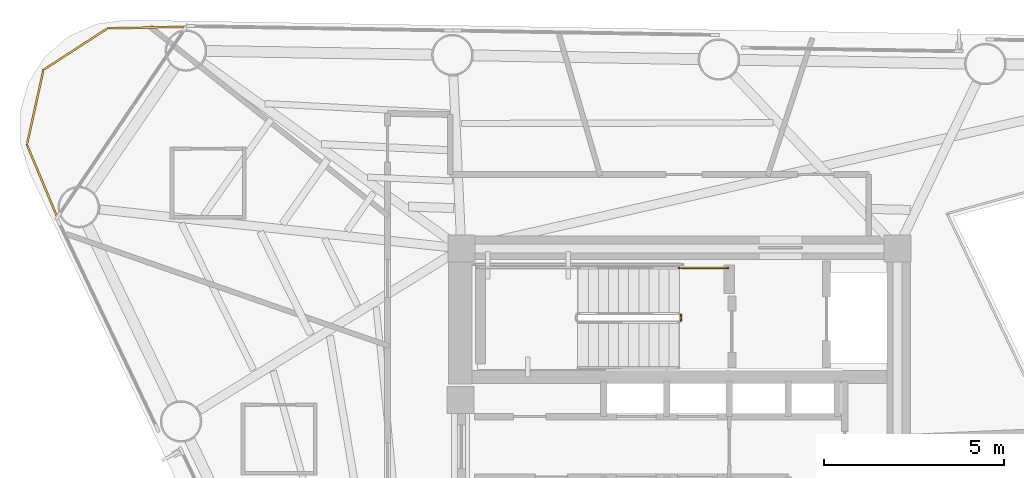
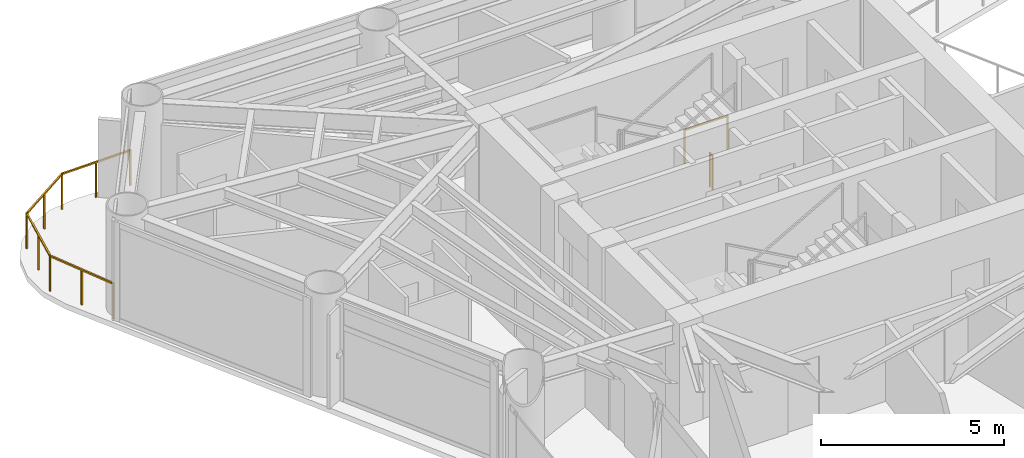
# One storey, part 8 of 9: 3 railings.
"""IFC4 building model written with IfcOpenShell, lengths in metres."""

from ifc_helpers import new_model, si_unit, direction, frame, origin, origin_2d, place, context, subcontext, project, spatial, rectangle, extrude, material, type_object, element, save


model = new_model("IFC4")

# Units and contexts
model_context = context("Model", 3, precision=1e-05, world=origin(), true_north=direction((0.0, 1.0)))
body_context = subcontext(model_context, "Body", "Model", "MODEL_VIEW")
ifc_project = project(units=[si_unit("LENGTHUNIT", "METRE"), si_unit("AREAUNIT", "SQUARE_METRE"), si_unit("VOLUMEUNIT", "CUBIC_METRE"), si_unit("PLANEANGLEUNIT", "RADIAN"), si_unit("MASSUNIT", "GRAM", prefix="KILO")], contexts=[model_context])

# Site, building, storey
site_placement = place(None, origin())
site = spatial("IfcSite", under=ifc_project, at=site_placement, CompositionType="ELEMENT")
building_placement = place(site_placement, origin())
building = spatial("IfcBuilding", under=site, at=building_placement, Name="Yunling Apex Tower", CompositionType="ELEMENT")
storey_placement = place(building_placement, frame((0.0, 0.0, 208.699951171875)))
storey = spatial("IfcBuildingStorey", under=building, at=storey_placement, Name="L51", CompositionType="ELEMENT", Elevation=208.699951171875)

# Railings
ifc_material_1 = material(Name="Bronze anodised aluminium", Category="aluminium")
railing_type_1 = type_object("IfcRailingType", Name="RL-BAL-1200", PredefinedType="BALUSTRADE", material=ifc_material_1)
railing_1_placement = place(storey_placement, frame((-17.253662109375, 6.364990234375, 0.0)))
element("IfcRailing", 1, at=railing_1_placement, inside=storey, type_object=railing_type_1, Name="RL-CRNSILL-L51-2", PredefinedType="BALUSTRADE", context=body_context, shape_type="SweptSolid", body=[
    extrude(rectangle(XDim=0.0439453125, YDim=0.0439453125, at=origin_2d()), origin(), (0.0, 0.0, 1.0), 1.199951171875),
    extrude(rectangle(XDim=0.0439453125, YDim=0.0439453125, at=origin_2d()), frame((-0.842529296875, 2.01416015625, 0.0)), (0.0, 0.0, 1.0), 1.199951171875),
    extrude(rectangle(XDim=0.050048828125, YDim=0.050048828125, at=origin_2d()), frame((-0.014892578125, 0.035400390625, 1.1748046875), z_axis=(-0.385901306975, 0.922540070282, 0.0), x_axis=(-0.922540070282, -0.385901306975, 0.0)), (0.0, 0.0, 1.0), 2.106689453125),
    extrude(rectangle(XDim=0.0439453125, YDim=0.0439453125, at=origin_2d()), frame((-0.42138671875, 1.007080078125, 0.0)), (0.0, 0.0, 1.0), 1.14599609375),
    extrude(rectangle(XDim=0.0439453125, YDim=0.0439453125, at=origin_2d()), frame((-0.384521484375, 4.089111328125, 0.0)), (0.0, 0.0, 1.0), 1.199951171875),
    extrude(rectangle(XDim=0.050048828125, YDim=0.050048828125, at=origin_2d()), frame((-0.834228515625, 2.051513671875, 1.1748046875), z_axis=(0.215543386307, 0.976494264509, 0.0), x_axis=(-0.976494264509, 0.215543386307, 0.0)), (0.0, 0.0, 1.0), 2.04833984375),
    extrude(rectangle(XDim=0.0439453125, YDim=0.0439453125, at=origin_2d()), frame((-0.613525390625, 3.0517578125, 0.0)), (0.0, 0.0, 1.0), 1.14599609375),
    extrude(rectangle(XDim=0.0439453125, YDim=0.0439453125, at=origin_2d()), frame((1.393310546875, 5.240234375, 0.0)), (0.0, 0.0, 1.0), 1.199951171875),
    extrude(rectangle(XDim=0.050048828125, YDim=0.050048828125, at=origin_2d()), frame((-0.352294921875, 4.10986328125, 1.1748046875), z_axis=(0.839406208654, 0.543504569322, 0.0), x_axis=(-0.543504569322, 0.839406208654, 0.0)), (0.0, 0.0, 1.0), 2.041259765625),
    extrude(rectangle(XDim=0.0439453125, YDim=0.0439453125, at=origin_2d()), frame((0.50439453125, 4.66455078125, 0.0)), (0.0, 0.0, 1.0), 1.14599609375),
    extrude(rectangle(XDim=0.0439453125, YDim=0.0439453125, at=origin_2d()), frame((3.5771484375, 5.284423828125, 0.0)), (0.0, 0.0, 1.0), 1.199951171875),
    extrude(rectangle(XDim=0.050048828125, YDim=0.050048828125, at=origin_2d()), frame((1.431640625, 5.240966796875, 1.1748046875), z_axis=(0.999795339927, 0.020230626778, 0.0), x_axis=(-0.020230626778, 0.999795339927, 0.0)), (0.0, 0.0, 1.0), 2.107666015625),
    extrude(rectangle(XDim=0.0439453125, YDim=0.0439453125, at=origin_2d()), frame((2.4853515625, 5.26220703125, 0.0)), (0.0, 0.0, 1.0), 1.14599609375),
])
ifc_material_2 = material(Name="Steel Q355B", Category="steel")
railing_type_2 = type_object("IfcRailingType", Name="RL-GRD-1150", PredefinedType="GUARDRAIL", material=ifc_material_2)
railing_2_placement = place(storey_placement, frame((0.0400390625, 3.64990234375, 0.0)))
element("IfcRailing", 2, at=railing_2_placement, inside=storey, type_object=railing_type_2, Name="L51 ST-1 stair guard 5", PredefinedType="GUARDRAIL", context=body_context, shape_type="SweptSolid", body=[
    extrude(rectangle(XDim=0.0439453125, YDim=0.0439453125, at=origin_2d()), origin(), (0.0, 0.0, 1.0), 1.14990234375),
    extrude(rectangle(XDim=0.0439453125, YDim=0.0439453125, at=origin_2d()), frame((0.0, -0.14990234375, 0.0)), (0.0, 0.0, 1.0), 1.14990234375),
    extrude(rectangle(XDim=0.050048828125, YDim=0.050048828125, at=origin_2d()), frame((0.0, -0.038330078125, 1.125), z_axis=(0.0, -1.0, 0.0), x_axis=(1.0, 0.0, 0.0)), (0.0, 0.0, 1.0), 0.0732421875),
])
railing_3_placement = place(storey_placement, frame((1.35009765625, 4.9599609375, 0.0)))
element("IfcRailing", 3, at=railing_3_placement, inside=storey, type_object=railing_type_2, Name="L51 ST-1 stair guard 6", PredefinedType="GUARDRAIL", context=body_context, shape_type="SweptSolid", body=[
    extrude(rectangle(XDim=0.0439453125, YDim=0.0439453125, at=origin_2d()), origin(), (0.0, 0.0, 1.0), 1.14990234375),
    extrude(rectangle(XDim=0.0439453125, YDim=0.0439453125, at=origin_2d()), frame((-1.360107421875, 0.0, 0.0)), (0.0, 0.0, 1.0), 1.14990234375),
    extrude(rectangle(XDim=0.050048828125, YDim=0.050048828125, at=origin_2d()), frame((-0.038330078125, 0.0, 1.125), z_axis=(-1.0, 0.0, 0.0), x_axis=(0.0, -1.0, 0.0)), (0.0, 0.0, 1.0), 1.283447265625),
])

save(model, "model.ifc")
